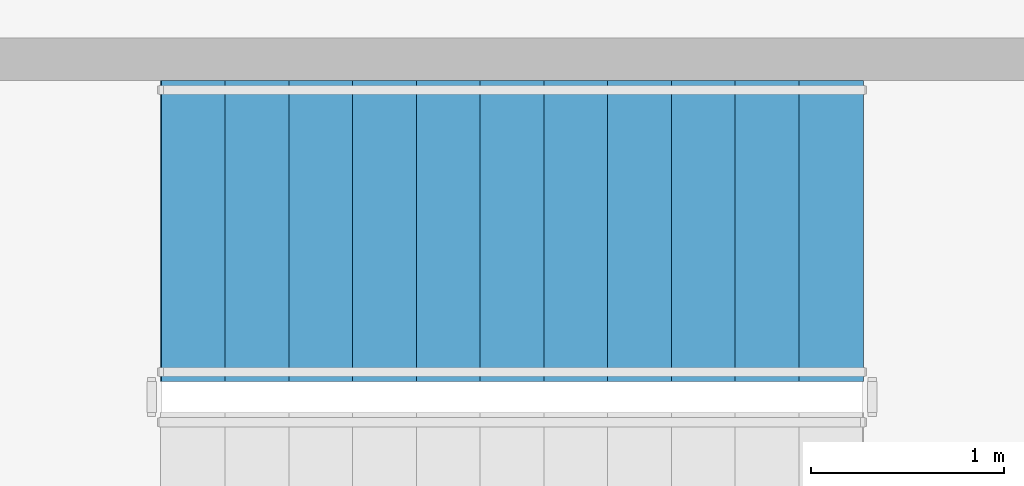
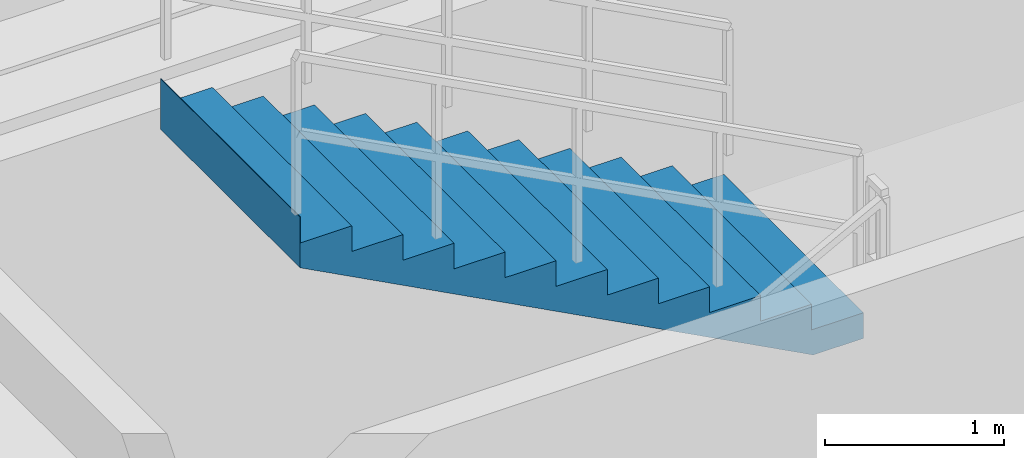
# One storey, part 13 of 15: 1 stair flight, 1 element without a shape of its own.
"""IFC4 building model written with IfcOpenShell, lengths in metres."""

from ifc_helpers import new_model, si_unit, direction, frame, origin, place, context, subcontext, project, spatial, polyline, outline, extrude, source, transform, mapped, material, type_object, element, aggregate, save


model = new_model("IFC4")

# Units and contexts
model_context = context("Model", 3, precision=1e-05, world=origin(), true_north=direction((0.0, 1.0)))
body_context = subcontext(model_context, "Body", "Model", "MODEL_VIEW")
ifc_project = project(units=[si_unit("LENGTHUNIT", "METRE"), si_unit("AREAUNIT", "SQUARE_METRE"), si_unit("VOLUMEUNIT", "CUBIC_METRE"), si_unit("PLANEANGLEUNIT", "RADIAN"), si_unit("MASSUNIT", "GRAM", prefix="KILO")], contexts=[model_context])

# Site, building, storey
site_placement = place(None, origin())
site = spatial("IfcSite", under=ifc_project, at=site_placement, CompositionType="ELEMENT")
building_placement = place(site_placement, origin())
building = spatial("IfcBuilding", under=site, at=building_placement, Name="Ocotamira Hotel", CompositionType="ELEMENT")
storey_placement = place(building_placement, frame((0.0, 0.0, 305.39990234375)))
storey = spatial("IfcBuildingStorey", under=building, at=storey_placement, Name="L78", CompositionType="ELEMENT", Elevation=305.39990234375)

# Stair, stair flight
ifc_material = material(Name="Concrete C40/50", Category="concrete")
stair_type = type_object("IfcStairType", Name="ST-CORE-1560", PredefinedType="HALF_TURN_STAIR", material=ifc_material)
stair_placement = place(storey_placement, origin())
stair = element("IfcStair", 1, at=stair_placement, inside=storey, type_object=stair_type, Name="L78 Exit Stair ST-2", PredefinedType="HALF_TURN_STAIR")
stair_flight_type = type_object("IfcStairFlightType", Name="STF-CORE-1560", PredefinedType="STRAIGHT", material=ifc_material)
shared_shape = source(origin(), body_context, "Body", "SweptSolid", [
    extrude(outline(polyline([(-0.00390625, 0.0), (-0.00390625, 0.175048828125), (0.330078125, 0.175048828125), (0.330078125, 0.35009765625), (0.659912109375, 0.35009765625), (0.659912109375, 0.52490234375), (0.989990234375, 0.52490234375), (0.989990234375, 0.699951171875), (1.320068359375, 0.699951171875), (1.320068359375, 0.875), (1.64990234375, 0.875), (1.64990234375, 1.050048828125), (1.97998046875, 1.050048828125), (1.97998046875, 1.22509765625), (2.31005859375, 1.22509765625), (2.31005859375, 1.39990234375), (2.639892578125, 1.39990234375), (2.639892578125, 1.574951171875), (2.969970703125, 1.574951171875), (2.969970703125, 1.75), (3.300048828125, 1.75), (3.300048828125, 1.925048828125), (3.6298828125, 1.925048828125), (3.6298828125, 2.10009765625), (3.634033203125, 2.10009765625), (3.634033203125, 1.75537109375), (0.320068359375, 0.0), (-0.00390625, 0.0)])), frame((0.0, 0.780029296875, 0.0), z_axis=(0.0, -1.0, 0.0), x_axis=(1.0, 0.0, 0.0)), (0.0, 0.0, 1.0), 1.56005859375),
])
stair_flight_placement = place(storey_placement, frame((16.860107421875, 35.550048828125, 2.10009765625), z_axis=(0.0, 0.0, 1.0), x_axis=(-1.0, 0.0, 0.0)))
stair_flight = element("IfcStairFlight", 2, at=stair_flight_placement, type_object=stair_flight_type, Name="ST-2 flight 2", NumberOfRisers=12, NumberOfTreads=11, PredefinedType="STRAIGHT", RiserHeight=0.175, TreadLength=0.33, context=body_context, shape_type="MappedRepresentation", body=[
    mapped(shared_shape, transform((0.0, 0.0, 0.0), scale=1.0)),
])
aggregate(stair, [stair_flight])

save(model, "model.ifc")
